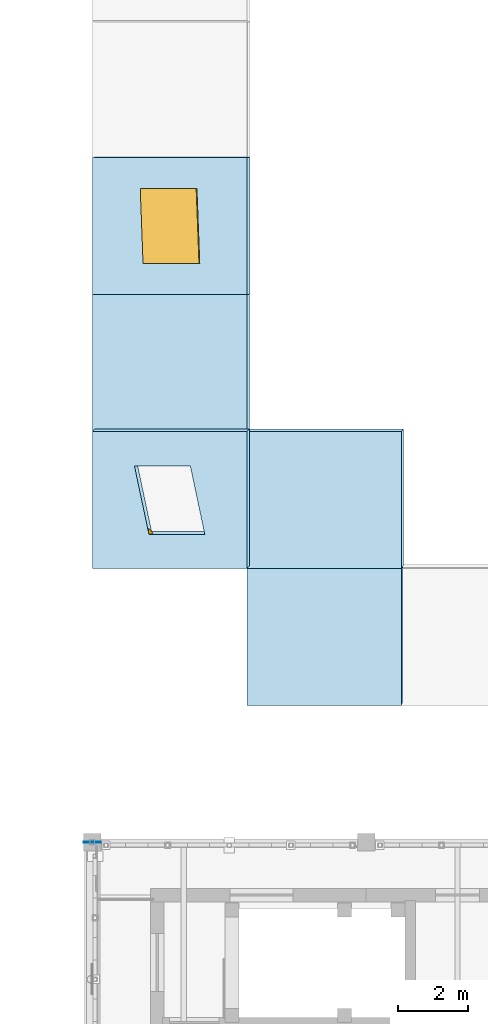
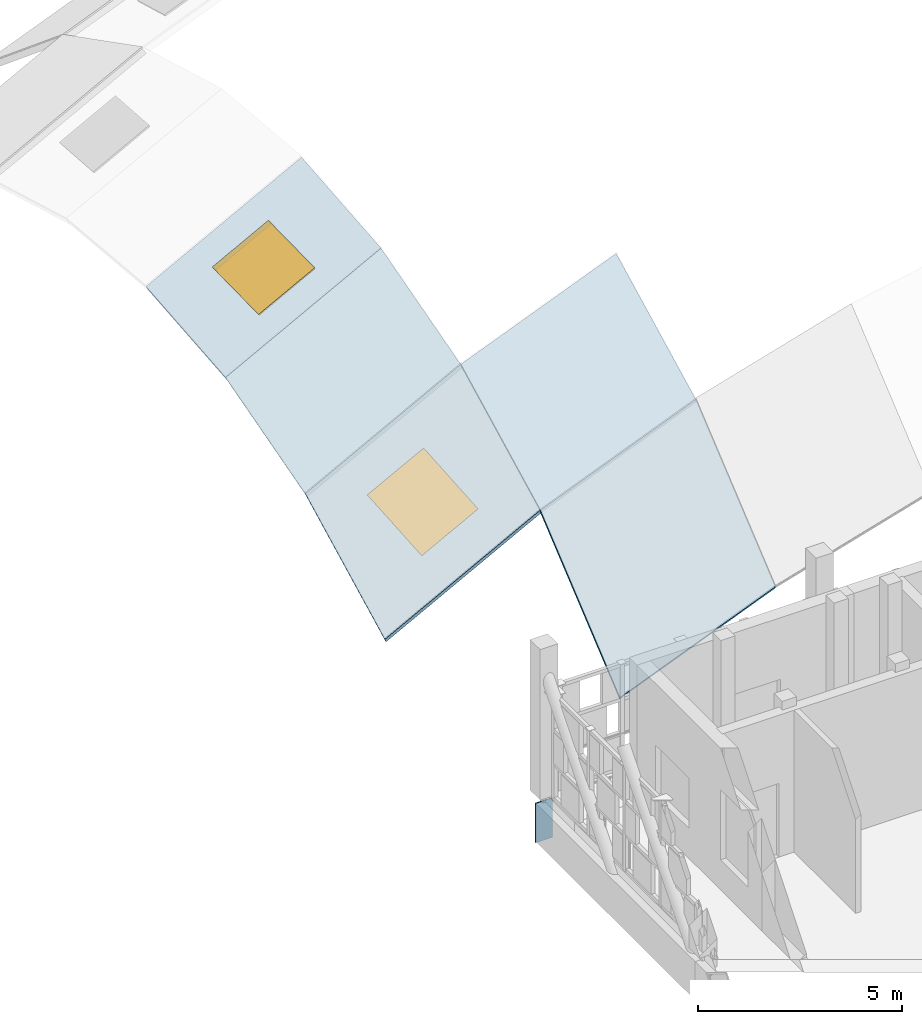
# One storey, part 47 of 89: 5 slabs, 2 windows, 1 plate, 2 openings.
"""IFC4 building model written with IfcOpenShell, lengths in metres."""

from ifc_helpers import new_model, si_unit, direction, frame, origin, origin_2d, place, context, subcontext, project, spatial, polyline, rectangle, outline, extrude, material, layer, layer_set, type_object, element, fill, save


model = new_model("IFC4")

# Units and contexts
model_context = context("Model", 3, precision=1e-05, world=origin(), true_north=direction((0.0, 1.0)))
body_context = subcontext(model_context, "Body", "Model", "MODEL_VIEW")
ifc_project = project(units=[si_unit("LENGTHUNIT", "METRE"), si_unit("AREAUNIT", "SQUARE_METRE"), si_unit("VOLUMEUNIT", "CUBIC_METRE"), si_unit("PLANEANGLEUNIT", "RADIAN"), si_unit("MASSUNIT", "GRAM", prefix="KILO")], contexts=[model_context])

# Site, building, storey
site_placement = place(None, origin())
site = spatial("IfcSite", under=ifc_project, at=site_placement, CompositionType="ELEMENT")
building_placement = place(site_placement, origin())
building = spatial("IfcBuilding", under=site, at=building_placement, Name="Celorna Specialist Clinic", CompositionType="ELEMENT")
storey_placement = place(building_placement, frame((0.0, 0.0, 14.10009765625)))
storey = spatial("IfcBuildingStorey", under=building, at=storey_placement, Name="L03", CompositionType="ELEMENT", Elevation=14.10009765625)

# Plate
ifc_material_1 = material(Name="Steel S355", Category="steel")
ifc_layer_1 = layer(ifc_material_1, 0.02490234375, Name="Steel S355")
ifc_layer_set_1 = layer_set([ifc_layer_1], Name="Steel S355")
plate_type = type_object("IfcPlateType", Name="EP-01", PredefinedType="SHEET", material=ifc_layer_set_1)
plate_placement = place(storey_placement, frame((54.60009765625, 42.89990234375, -1.42529296875), z_axis=(0.0, 0.0, 1.0), x_axis=(1.0, 0.0, 0.0)))
element("IfcPlate", 1, at=plate_placement, inside=storey, type_object=plate_type, Name="Truss chord end cap plate EP-01 #4", PredefinedType="SHEET", context=body_context, shape_type="SweptSolid", body=[
    extrude(rectangle(XDim=0.47998046875, YDim=0.02490234375, at=origin_2d()), origin(), (0.0, 0.0, 1.0), 1.179931640625),
])

# Slab, opening, window
ifc_material_2 = material(Name="Glulam GL28h insulated roof deck", Category="wood")
ifc_layer_2 = layer(ifc_material_2, 0.179931640625, Name="Glulam GL28h insulated roof deck")
ifc_layer_set_2 = layer_set([ifc_layer_2], Name="Glulam GL28h insulated roof deck")
slab_type = type_object("IfcSlabType", Name="SL-12", PredefinedType="ROOF", material=ifc_layer_set_2)
slab_1_placement = place(storey_placement, frame((54.60009765625, 50.699951171875, -0.167236328125), z_axis=(-0.426272998469, -0.412350212297, 0.805145100708), x_axis=(0.883780693912, -8.140593e-06, 0.46790136247)))
slab_1 = element("IfcSlab", 2, at=slab_1_placement, inside=storey, type_object=slab_type, Name="GSH-V1 translational gridshell roof facet 1-2", PredefinedType="ROOF", context=body_context, shape_type="SweptSolid", body=[
    extrude(outline(polyline([(0.0, 0.0), (4.978452774662409, 0.0), (5.913081412787294, 4.281104090557034), (0.934514404393814, 4.281015118236019), (0.0, 0.0)])), origin(), (0.0, 0.0, -1.0), 0.179931640625),
])
opening_1_placement = place(slab_1_placement, frame((2.95654296875, 2.140380859375, 0.010009765625)))
opening_1 = element("IfcOpeningElement", 3, at=opening_1_placement, cuts=slab_1, Name="Opening SK-02", PredefinedType="OPENING", context=body_context, shape_type="SweptSolid", body=[
    extrude(rectangle(XDim=1.800048828125, YDim=2.139892578125, at=origin_2d()), origin(), (0.0, 0.0, -1.0), 0.199951171875),
])
ifc_material_3 = material(Name="Outpatient atrium skylight lantern")
window_type_1 = type_object("IfcWindowType", Name="SK-02", PartitioningType="SINGLE_PANEL", PredefinedType="SKYLIGHT", material=ifc_material_3)
window_1_placement = place(opening_1_placement, frame((0.0, 0.0, -0.010009765625)))
window_1 = element("IfcWindow", 4, at=window_1_placement, inside=storey, type_object=window_type_1, Name="GSH-V1 gridshell skylight 1-2", OverallHeight=2.139892578125, OverallWidth=1.800048828125, PartitioningType="SINGLE_PANEL", PredefinedType="SKYLIGHT", context=body_context, shape_type="SweptSolid", body=[
    extrude(rectangle(XDim=1.800048828125, YDim=2.139892578125, at=origin_2d()), origin(), (0.0, 0.0, -1.0), 0.050048828125),
])
fill(opening_1, window_1)

# Slab
slab_2_placement = place(storey_placement, frame((54.60009765625, 54.60009765625, 1.830078125), z_axis=(-0.453832645011, -0.243559911763, 0.857154886648), x_axis=(0.883768830423, 0.0, 0.467923769831)))
element("IfcSlab", 5, at=slab_2_placement, inside=storey, type_object=slab_type, Name="GSH-V1 translational gridshell roof facet 1-3", PredefinedType="ROOF", context=body_context, shape_type="SweptSolid", body=[
    extrude(outline(polyline([(0.0, 0.0), (4.978567010158636, 0.0), (5.497098746306879, 4.02099105632882), (0.5185317361482426, 4.020991056328819), (0.0, 0.0)])), origin(), (0.0, 0.0, -1.0), 0.179931640625),
])

# Slab, opening, window
slab_3_placement = place(storey_placement, frame((54.60009765625, 58.5, 2.938232421875), z_axis=(-0.466402613774, -0.080567722026, 0.880895819057), x_axis=(0.883768830423, 0.0, 0.467923769831)))
slab_3 = element("IfcSlab", 6, at=slab_3_placement, inside=storey, type_object=slab_type, Name="GSH-V1 translational gridshell roof facet 1-4", PredefinedType="ROOF", context=body_context, shape_type="SweptSolid", body=[
    extrude(outline(polyline([(0.0, 0.0), (4.978567010158636, 0.0), (5.145470483723867, 3.912621740887971), (0.16690347356523075, 3.912621740887971), (0.0, 0.0)])), origin(), (0.0, 0.0, -1.0), 0.179931640625),
])
opening_2_placement = place(slab_3_placement, frame((2.57275390625, 1.956298828125, 0.010009765625)))
opening_2 = element("IfcOpeningElement", 7, at=opening_2_placement, cuts=slab_3, Name="Opening SK-03", PredefinedType="OPENING", context=body_context, shape_type="SweptSolid", body=[
    extrude(rectangle(XDim=1.800048828125, YDim=2.139892578125, at=origin_2d()), origin(), (0.0, 0.0, -1.0), 0.199951171875),
])
ifc_material_4 = material(Name="Gridshell crown acoustic skylight")
window_type_2 = type_object("IfcWindowType", Name="SK-03", PartitioningType="SINGLE_PANEL", PredefinedType="SKYLIGHT", material=ifc_material_4)
window_2_placement = place(opening_2_placement, frame((0.0, 0.0, -0.010009765625)))
window_2 = element("IfcWindow", 8, at=window_2_placement, inside=storey, type_object=window_type_2, Name="GSH-V1 gridshell skylight 1-4", OverallHeight=2.139892578125, OverallWidth=1.800048828125, PartitioningType="SINGLE_PANEL", PredefinedType="SKYLIGHT", context=body_context, shape_type="SweptSolid", body=[
    extrude(rectangle(XDim=1.800048828125, YDim=2.139892578125, at=origin_2d()), origin(), (0.0, 0.0, -1.0), 0.050048828125),
])
fill(opening_2, window_2)

# Slabs
slab_4_placement = place(storey_placement, frame((59.0, 46.800048828125, -1.08056640625), z_axis=(-0.296404645802, -0.610610813191, 0.734369607733), x_axis=(0.927315344547, 0.0, 0.374280979704)))
element("IfcSlab", 9, at=slab_4_placement, inside=storey, type_object=slab_type, Name="GSH-V1 translational gridshell roof facet 2-1", PredefinedType="ROOF", context=body_context, shape_type="SweptSolid", body=[
    extrude(outline(polyline([(0.0, 0.0), (4.744774654733399, -2.220446049250313e-16), (5.958446523003227, 4.924549229042437), (1.2136718682698289, 4.924549229042437), (0.0, 0.0)])), origin(), (0.0, 0.0, -1.0), 0.179931640625),
])
slab_5_placement = place(storey_placement, frame((59.0, 50.699951171875, 2.162109375), z_axis=(-0.338086403658, -0.429018482791, 0.837639973428), x_axis=(0.927315344547, 0.0, 0.374280979704)))
element("IfcSlab", 10, at=slab_5_placement, inside=storey, type_object=slab_type, Name="GSH-V1 translational gridshell roof facet 2-2", PredefinedType="ROOF", context=body_context, shape_type="SweptSolid", body=[
    extrude(outline(polyline([(0.0, 0.0), (4.744774654733399, 0.0), (5.492422842218998, 4.317685157905408), (0.7476481874855999, 4.317685157905408), (0.0, 0.0)])), origin(), (0.0, 0.0, -1.0), 0.179931640625),
])

save(model, "model.ifc")
